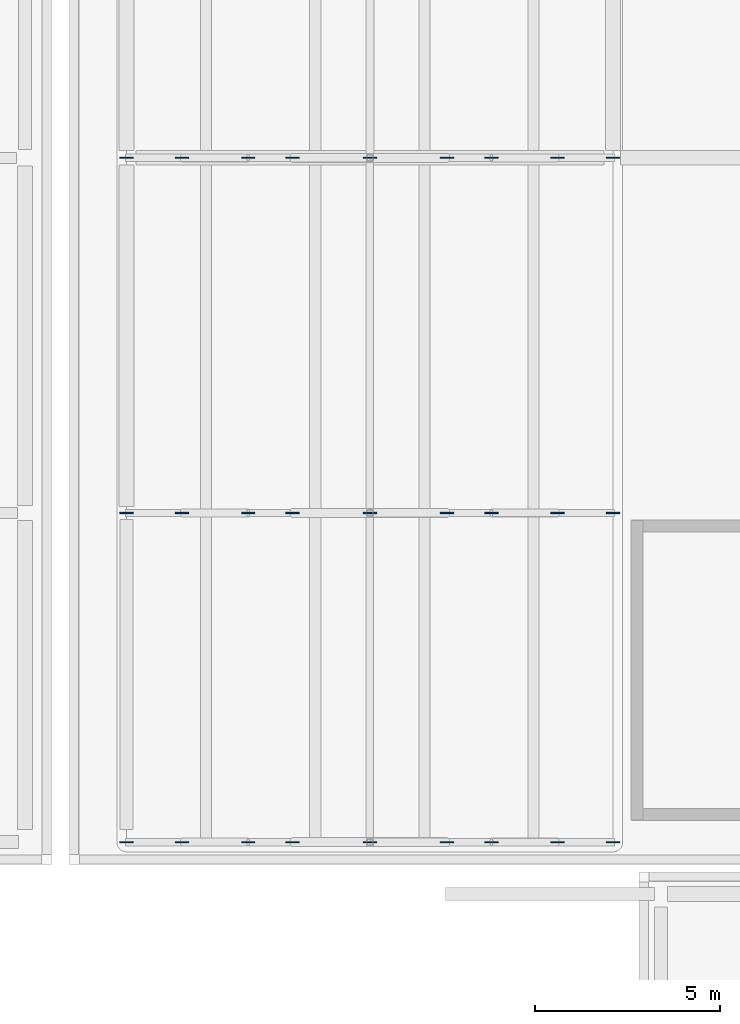
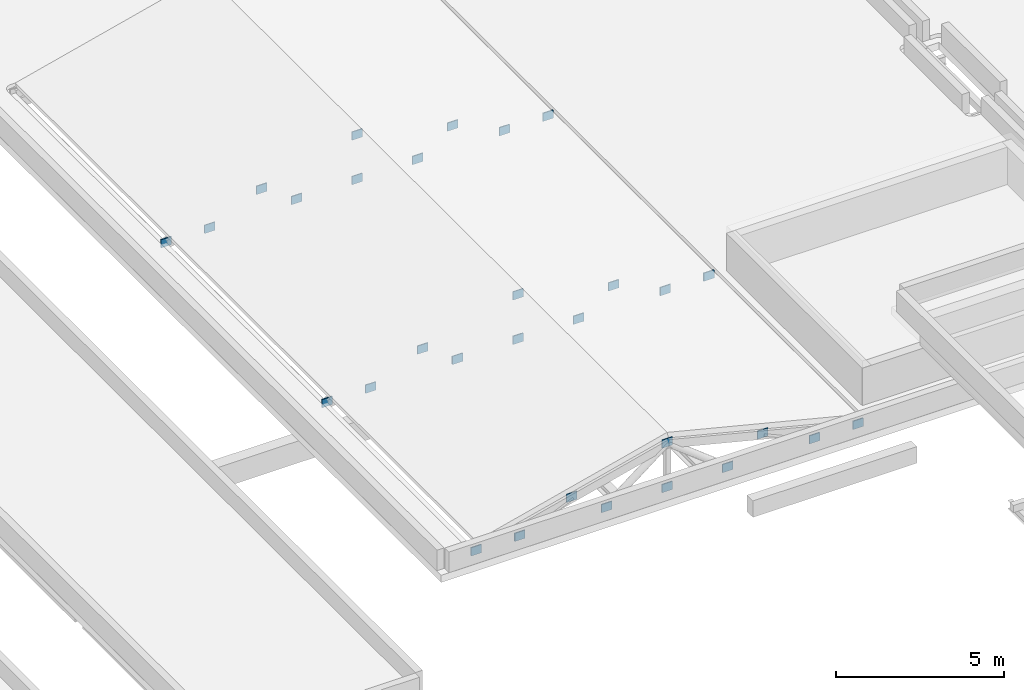
# One storey, part 30 of 40: 30 plates.
"""IFC4 building model written with IfcOpenShell, lengths in metres."""

from ifc_helpers import new_model, si_unit, direction, frame, origin, origin_2d, place, context, subcontext, project, spatial, rectangle, extrude, material, layer, layer_set, type_object, element, save


model = new_model("IFC4")

# Units and contexts
model_context = context("Model", 3, precision=1e-05, world=origin(), true_north=direction((0.0, 1.0)))
body_context = subcontext(model_context, "Body", "Model", "MODEL_VIEW")
ifc_project = project(units=[si_unit("LENGTHUNIT", "METRE"), si_unit("AREAUNIT", "SQUARE_METRE"), si_unit("VOLUMEUNIT", "CUBIC_METRE"), si_unit("PLANEANGLEUNIT", "RADIAN"), si_unit("MASSUNIT", "GRAM", prefix="KILO")], contexts=[model_context])

# Site, building, storey
site_placement = place(None, origin())
site = spatial("IfcSite", under=ifc_project, at=site_placement, CompositionType="ELEMENT")
building_placement = place(site_placement, origin())
building = spatial("IfcBuilding", under=site, at=building_placement, Name="Mzevani Central Library", CompositionType="ELEMENT")
storey_placement = place(building_placement, frame((0.0, 0.0, 26.699951171875)))
storey = spatial("IfcBuildingStorey", under=building, at=storey_placement, Name="RF", CompositionType="ELEMENT", Elevation=26.699951171875)

# Plates
ifc_material = material(Name="Steel S355J2", Category="steel")
ifc_layer = layer(ifc_material, 0.035888671875, Name="Truss Splice Flange Plate 36")
ifc_layer_set = layer_set([ifc_layer], Name="Steel S355J2")
plate_type = type_object("IfcPlateType", Name="Truss Splice Flange Plate 36", PredefinedType="USERDEFINED", material=ifc_layer_set)
for number, where, z_axis, x_axis, name in (
    (1, (21.35009765625, 43.10009765625, -13.02978515625), (0.0, 0.0, 1.0), (1.0, 0.0, 0.0), "RF Auditorium Truss 1 Node Gusset 1"),
    (2, (22.85009765625, 43.10009765625, -13.02978515625), (0.0, 0.0, 1.0), (1.0, 0.0, 0.0), "RF Auditorium Truss 1 Node Gusset 2"),
    (3, (24.637451171875, 43.10009765625, -12.23486328125), (0.0, 0.0, 1.0), (1.0, 0.0, 0.0), "RF Auditorium Truss 1 Node Gusset 3"),
    (4, (25.83740234375, 43.10009765625, -13.02978515625), (0.0, 0.0, 1.0), (1.0, 0.0, 0.0), "RF Auditorium Truss 1 Node Gusset 4"),
    (5, (27.925048828125, 43.10009765625, -13.02978515625), (0.0, 0.0, 1.0), (1.0, 0.0, 0.0), "RF Auditorium Truss 1 Node Gusset 5"),
    (6, (27.925048828125, 43.10009765625, -11.41015625), (0.0, 0.0, 1.0), (1.0, 0.0, 0.0), "RF Auditorium Truss 1 Node Gusset 6"),
    (7, (30.012451171875, 43.10009765625, -13.02978515625), (0.0, 0.0, 1.0), (1.0, 0.0, 0.0), "RF Auditorium Truss 1 Node Gusset 7"),
    (8, (31.21240234375, 43.10009765625, -12.23486328125), (0.0, 0.0, 1.0), (1.0, 0.0, 0.0), "RF Auditorium Truss 1 Node Gusset 8"),
    (9, (33.0, 43.10009765625, -13.02978515625), (0.0, 0.0, 1.0), (1.0, 0.0, 0.0), "RF Auditorium Truss 1 Node Gusset 9"),
    (10, (34.5, 43.10009765625, -13.02978515625), (0.0, 0.0, 1.0), (1.0, 0.0, 0.0), "RF Auditorium Truss 1 Node Gusset 10"),
    (11, (21.35009765625, 52.0, -13.02978515625), (0.0, 0.0, 1.0), (1.0, 0.0, 0.0), "RF Auditorium Truss 2 Node Gusset 1"),
    (12, (22.85009765625, 52.0, -13.02978515625), (0.0, 0.0, 1.0), (1.0, 0.0, 0.0), "RF Auditorium Truss 2 Node Gusset 2"),
    (13, (24.637451171875, 52.0, -12.23486328125), (0.0, 0.0, 1.0), (1.0, 0.0, 0.0), "RF Auditorium Truss 2 Node Gusset 3"),
    (14, (25.83740234375, 52.0, -13.02978515625), (0.0, 0.0, 1.0), (1.0, 0.0, 0.0), "RF Auditorium Truss 2 Node Gusset 4"),
    (15, (27.925048828125, 52.0, -13.02978515625), (0.0, 0.0, 1.0), (1.0, 0.0, 0.0), "RF Auditorium Truss 2 Node Gusset 5"),
    (16, (27.925048828125, 52.0, -11.41015625), (0.0, 0.0, 1.0), (1.0, 0.0, 0.0), "RF Auditorium Truss 2 Node Gusset 6"),
    (17, (30.012451171875, 52.0, -13.02978515625), (0.0, 0.0, 1.0), (1.0, 0.0, 0.0), "RF Auditorium Truss 2 Node Gusset 7"),
    (18, (31.21240234375, 52.0, -12.23486328125), (0.0, 0.0, 1.0), (1.0, 0.0, 0.0), "RF Auditorium Truss 2 Node Gusset 8"),
    (19, (33.0, 52.0, -13.02978515625), (0.0, 0.0, 1.0), (1.0, 0.0, 0.0), "RF Auditorium Truss 2 Node Gusset 9"),
    (20, (34.5, 52.0, -13.02978515625), (0.0, 0.0, 1.0), (1.0, 0.0, 0.0), "RF Auditorium Truss 2 Node Gusset 10"),
    (21, (21.35009765625, 61.60009765625, -13.02978515625), (0.0, 0.0, 1.0), (1.0, 0.0, 0.0), "RF Auditorium Truss 3 Node Gusset 1"),
    (22, (22.85009765625, 61.60009765625, -13.02978515625), (0.0, 0.0, 1.0), (1.0, 0.0, 0.0), "RF Auditorium Truss 3 Node Gusset 2"),
    (23, (24.637451171875, 61.60009765625, -12.23486328125), (0.0, 0.0, 1.0), (1.0, 0.0, 0.0), "RF Auditorium Truss 3 Node Gusset 3"),
    (24, (25.83740234375, 61.60009765625, -13.02978515625), (0.0, 0.0, 1.0), (1.0, 0.0, 0.0), "RF Auditorium Truss 3 Node Gusset 4"),
    (25, (27.925048828125, 61.60009765625, -13.02978515625), (0.0, 0.0, 1.0), (1.0, 0.0, 0.0), "RF Auditorium Truss 3 Node Gusset 5"),
    (26, (27.925048828125, 61.60009765625, -11.41015625), (0.0, 0.0, 1.0), (1.0, 0.0, 0.0), "RF Auditorium Truss 3 Node Gusset 6"),
    (27, (30.012451171875, 61.60009765625, -13.02978515625), (0.0, 0.0, 1.0), (1.0, 0.0, 0.0), "RF Auditorium Truss 3 Node Gusset 7"),
    (28, (31.21240234375, 61.60009765625, -12.23486328125), (0.0, 0.0, 1.0), (1.0, 0.0, 0.0), "RF Auditorium Truss 3 Node Gusset 8"),
    (29, (33.0, 61.60009765625, -13.02978515625), (0.0, 0.0, 1.0), (1.0, 0.0, 0.0), "RF Auditorium Truss 3 Node Gusset 9"),
    (30, (34.5, 61.60009765625, -13.02978515625), (0.0, 0.0, 1.0), (1.0, 0.0, 0.0), "RF Auditorium Truss 3 Node Gusset 10"),
):
    element("IfcPlate", number, at=place(storey_placement, frame(where, z_axis=z_axis, x_axis=x_axis)), inside=storey, type_object=plate_type, Name=name, ObjectType="SPLICE PLATE", PredefinedType="USERDEFINED", context=body_context, shape_type="SweptSolid", body=[
        extrude(rectangle(XDim=0.360107421875, YDim=0.035888671875, at=origin_2d()), origin(), (0.0, 0.0, 1.0), 0.300048828125),
    ])

save(model, "model.ifc")
